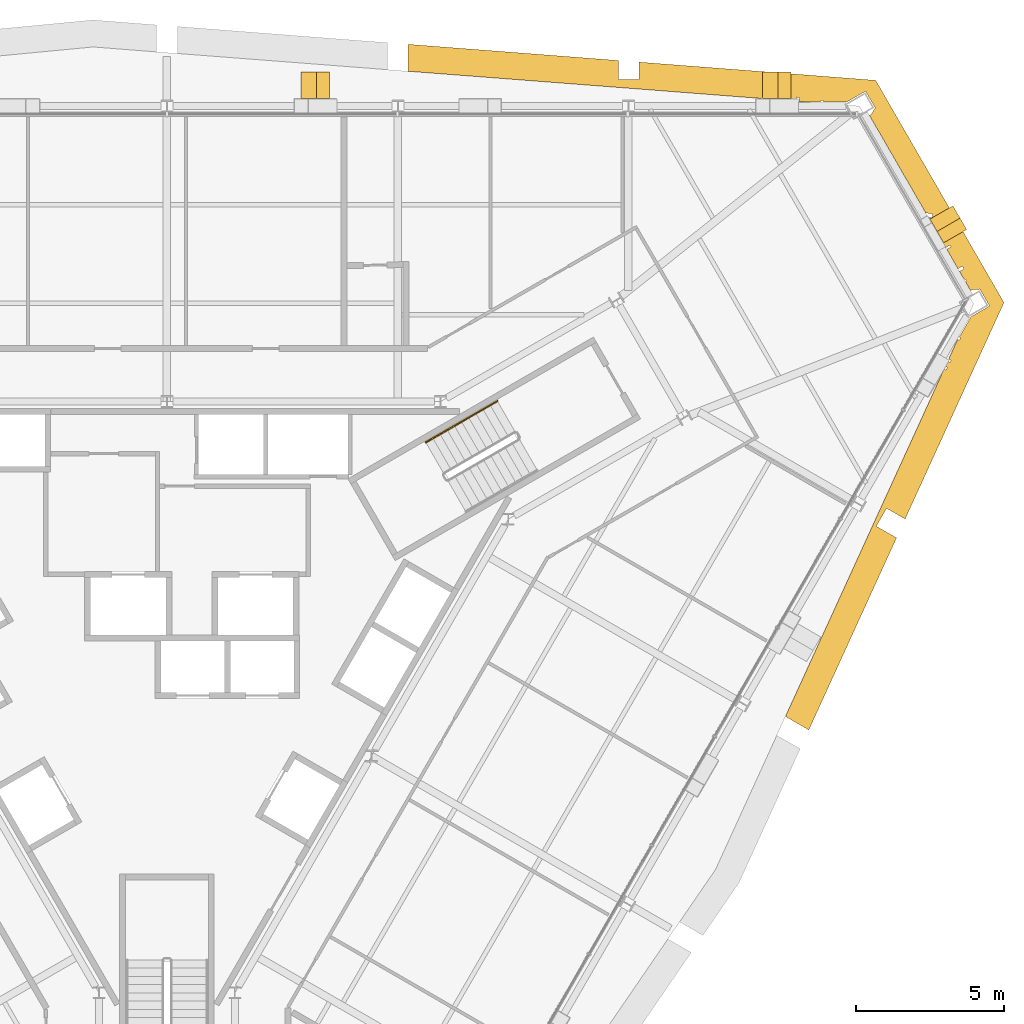
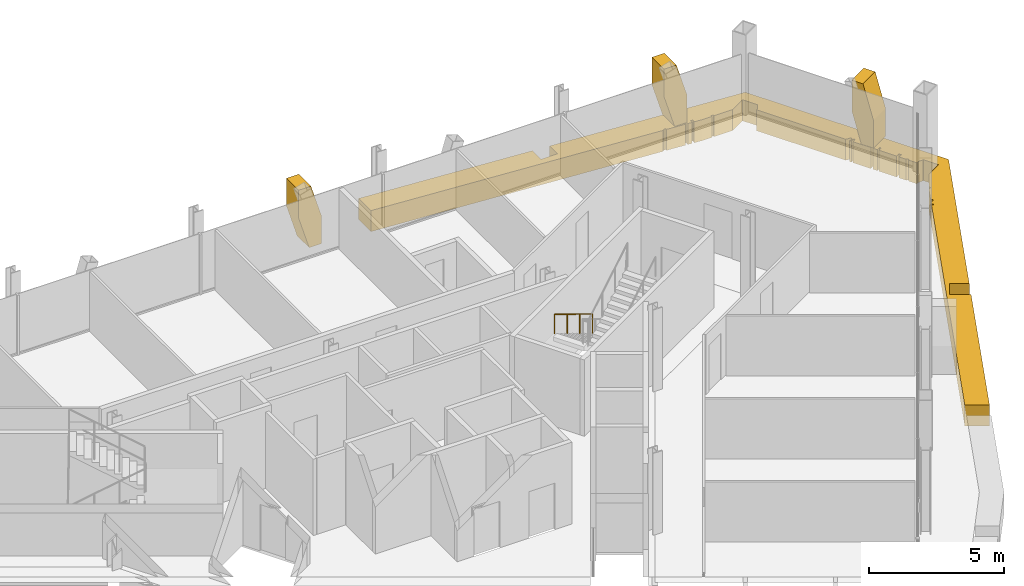
# One storey, part 17 of 17: 4 coverings, 1 railing.
"""IFC4 building model written with IfcOpenShell, lengths in metres."""

from ifc_helpers import new_model, si_unit, direction, frame, origin, origin_2d, place, context, subcontext, project, spatial, polyline, circle, outline, extrude, material, layer, layer_set, type_object, element, save


model = new_model("IFC4")

# Units and contexts
model_context = context("Model", 3, precision=1e-05, world=origin(), true_north=direction((0.0, 1.0)))
body_context = subcontext(model_context, "Body", "Model", "MODEL_VIEW")
ifc_project = project(units=[si_unit("LENGTHUNIT", "METRE"), si_unit("AREAUNIT", "SQUARE_METRE"), si_unit("VOLUMEUNIT", "CUBIC_METRE"), si_unit("PLANEANGLEUNIT", "RADIAN"), si_unit("MASSUNIT", "GRAM", prefix="KILO")], contexts=[model_context])

# Site, building, storey
site_placement = place(None, origin())
site = spatial("IfcSite", under=ifc_project, at=site_placement, CompositionType="ELEMENT")
building_placement = place(site_placement, origin())
building = spatial("IfcBuilding", under=site, at=building_placement, Name="Verrane Prism Tower", CompositionType="ELEMENT")
storey_placement = place(building_placement, frame((0.0, 0.0, 182.10009765625)))
storey = spatial("IfcBuildingStorey", under=building, at=storey_placement, Name="L45", CompositionType="ELEMENT", Elevation=182.10009765625)

# Railing
ifc_material_1 = material(Name="Steel A36 tube", Category="steel")
railing_type = type_object("IfcRailingType", Name="Stair handrail 900 steel tube", PredefinedType="HANDRAIL", material=ifc_material_1)
railing_placement = place(storey_placement, frame((11.189453125, 8.01904296875, 0.16796875)))
element("IfcRailing", 1, at=railing_placement, inside=storey, type_object=railing_type, Name="Stair 1 handrail", PredefinedType="HANDRAIL", context=body_context, shape_type="SweptSolid", body=[
    extrude(circle(Radius=0.02392578125, at=origin_2d()), frame((0.0, 0.0, 0.8759765625), z_axis=(-0.742390482028, -0.42860119049, 0.514934356695), x_axis=(0.49998411664, -0.866034573852, 0.0)), (0.0, 0.0, 1.0), 3.26611328125),
    extrude(circle(Radius=0.02099609375, at=origin_2d()), origin(), (0.0, 0.0, 1.0), 0.851806640625),
    extrude(circle(Radius=0.02099609375, at=origin_2d()), frame((-0.808349609375, -0.466552734375, 0.560546875)), (0.0, 0.0, 1.0), 0.851806640625),
    extrude(circle(Radius=0.02099609375, at=origin_2d()), frame((-1.616455078125, -0.933349609375, 1.121337890625)), (0.0, 0.0, 1.0), 0.851806640625),
    extrude(circle(Radius=0.02099609375, at=origin_2d()), frame((-2.4248046875, -1.39990234375, 1.681884765625)), (0.0, 0.0, 1.0), 0.851806640625),
])

# Coverings
ifc_material_2 = material(Name="Warm limestone cladding", Category="masonry")
ifc_layer_1 = layer(ifc_material_2, 0.89990234375)
ifc_layer_set_1 = layer_set([ifc_layer_1], Name="Stone brace fin 900")
covering_type_1 = type_object("IfcCoveringType", Name="Stone brace fin 900", PredefinedType="CLADDING", material=ifc_layer_set_1)
for number, where, z_axis, x_axis, name in (
    (2, (21.1396484375, 18.714111328125, 0.0), (0.0, 0.0, 1.0), (-1.0, 0.0, 0.0), "Stone brace fin N1 L45"),
    (3, (5.509765625, 18.714111328125, 0.0), (0.0, 0.0, 1.0), (-1.0, 0.0, 0.0), "Stone brace fin N3 L45"),
):
    element("IfcCovering", number, at=place(storey_placement, frame(where, z_axis=z_axis, x_axis=x_axis)), inside=storey, type_object=covering_type_1, Name=name, PredefinedType="CLADDING", context=body_context, shape_type="SweptSolid", body=[
        extrude(outline(polyline([(0.965087890625, 2.75), (0.44287109375, 2.75), (0.0, 1.283203125), (0.0, 0.0), (0.518310546875, 0.0), (0.965087890625, 1.4794921875), (0.965087890625, 2.75)])), frame((0.0, 0.449951171875, 0.0), z_axis=(0.0, -1.0, 0.0), x_axis=(1.0, 0.0, 0.0)), (0.0, 0.0, 1.0), 0.89990234375),
    ])
covering_1_placement = place(storey_placement, frame((26.691650390625, 13.60205078125, 0.0), z_axis=(0.0, 0.0, 1.0), x_axis=(-0.500041054325, 0.866001699761, 0.0)))
element("IfcCovering", 4, at=covering_1_placement, inside=storey, type_object=covering_type_1, Name="Stone brace fin NE1 L45", PredefinedType="CLADDING", context=body_context, shape_type="SweptSolid", body=[
    extrude(outline(polyline([(0.9287109375, 2.75), (0.44580078125, 2.75), (0.0, 1.25732421875), (0.0, 0.0), (0.5205078125, 0.0), (0.9287109375, 1.365478515625), (0.9287109375, 2.75)])), frame((0.0, 0.449951171875, 0.0), z_axis=(0.0, -1.0, 0.0), x_axis=(1.0, 0.0, 0.0)), (0.0, 0.0, 1.0), 0.89990234375),
])
ifc_material_3 = material(Name="Warm limestone cladding", Category="masonry")
ifc_layer_2 = layer(ifc_material_3, 0.449951171875)
ifc_layer_set_2 = layer_set([ifc_layer_2], Name="Stone spandrel band 450")
covering_type_2 = type_object("IfcCoveringType", Name="Stone spandrel band 450", PredefinedType="CLADDING", material=ifc_layer_set_2)
covering_2_placement = place(storey_placement, frame((0.0, 0.0, -0.9501953125)))
element("IfcCovering", 5, at=covering_2_placement, inside=storey, type_object=covering_type_2, Name="Stone spandrel band L45 part 2", PredefinedType="CLADDING", context=body_context, shape_type="SweptSolid", body=[
    extrude(outline(polyline([(8.16748046875, 19.187744140625), (20.128662109375, 18.26611328125), (20.1572265625, 18.3017578125), (20.174560546875, 18.287841796875), (20.174560546875, 18.31005859375), (20.274169921875, 18.31005859375), (20.274169921875, 18.2548828125), (21.044189453125, 18.195556640625), (21.044189453125, 18.31005859375), (21.1396484375, 18.31005859375), (21.1396484375, 18.188232421875), (21.308349609375, 18.17529296875), (21.3251953125, 18.3076171875), (21.419189453125, 18.295654296875), (21.40283203125, 18.16796875), (21.7216796875, 18.143310546875), (22.13818359375, 18.143310546875), (22.145751953125, 18.20361328125), (22.236083984375, 18.192138671875), (22.22998046875, 18.143310546875), (23.02099609375, 18.143310546875), (23.657470703125, 18.5107421875), (23.9873046875, 17.939208984375), (23.968505859375, 17.92822265625), (23.8603515625, 17.739013671875), (23.787109375, 17.69677734375), (25.6982421875, 14.38671875), (25.9267578125, 14.36328125), (25.91357421875, 14.2314453125), (25.77978515625, 14.2451171875), (25.822021484375, 14.172119140625), (25.96533203125, 14.2548828125), (25.99755859375, 14.19921875), (25.854248046875, 14.1162109375), (26.235107421875, 13.45654296875), (26.378662109375, 13.53955078125), (26.429931640625, 13.450927734375), (26.286376953125, 13.367919921875), (26.374755859375, 13.21484375), (26.518310546875, 13.2978515625), (26.550537109375, 13.241943359375), (26.406982421875, 13.158935546875), (26.78759765625, 12.499267578125), (26.931396484375, 12.58251953125), (26.982666015625, 12.493896484375), (26.8388671875, 12.41064453125), (26.98828125, 12.152099609375), (27.079345703125, 12.120849609375), (27.05908203125, 12.0615234375), (27.035888671875, 12.0693359375), (27.21728515625, 11.75537109375), (27.289306640625, 11.797119140625), (27.50830078125, 11.7998046875), (27.52734375, 11.810791015625), (27.857421875, 11.2392578125), (27.22998046875, 10.876953125), (26.829345703125, 10.18310546875), (26.8701171875, 10.165771484375), (26.835205078125, 10.08203125), (26.783447265625, 10.103759765625), (26.740234375, 10.02880859375), (26.47216796875, 9.44189453125), (26.5517578125, 9.408447265625), (26.51513671875, 9.3212890625), (26.43310546875, 9.35595703125), (26.3603515625, 9.197021484375), (26.424560546875, 9.159912109375), (26.376708984375, 9.0771484375), (26.320556640625, 9.109619140625), (20.944580078125, -2.661376953125), (21.736083984375, -3.118408203125), (24.706298828125, 3.38525390625), (24.02099609375, 3.78076171875), (24.37109375, 4.386962890625), (24.998291015625, 4.02490234375), (28.345703125, 11.35400390625), (24.000244140625, 18.88037109375), (15.98486328125, 19.497802734375), (15.98486328125, 18.912109375), (15.284912109375, 18.912109375), (15.284912109375, 19.552001953125), (8.16748046875, 20.100341796875), (8.16748046875, 19.187744140625)])), origin(), (0.0, 0.0, 1.0), 0.9501953125),
])

save(model, "model.ifc")
